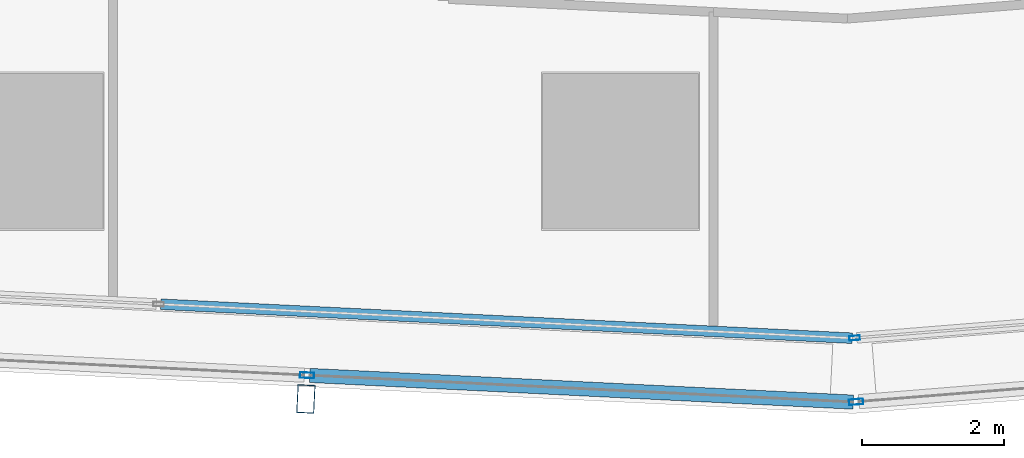
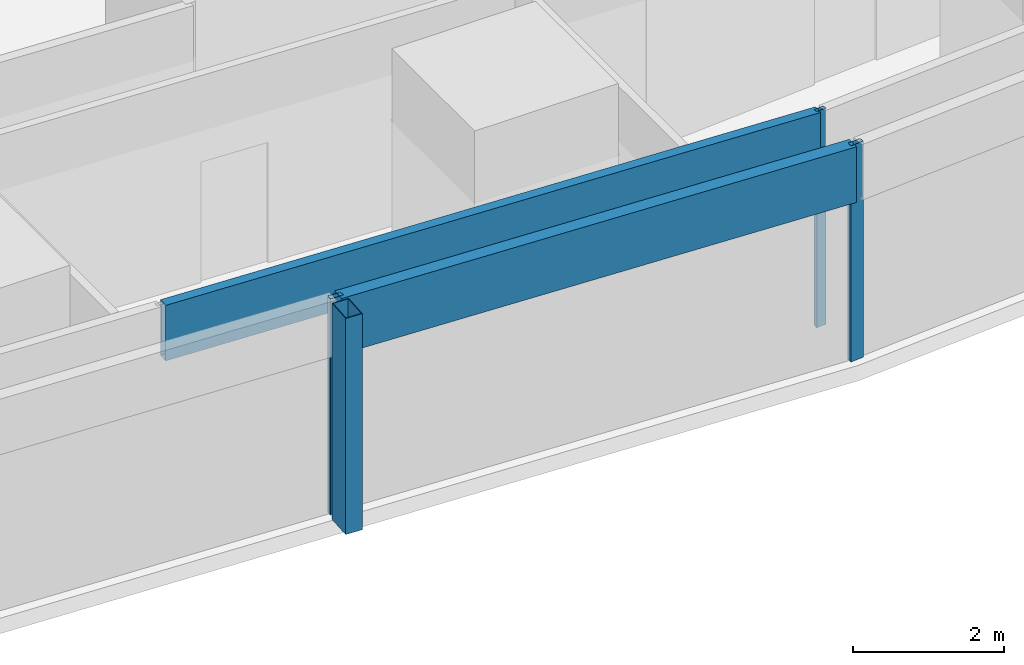
# One storey, part 9 of 45: 6 members, 4 elements without a shape of their own.
"""IFC4 building model written with IfcOpenShell, lengths in metres."""

from ifc_helpers import new_model, si_unit, direction, frame, origin, origin_2d, place, context, subcontext, project, spatial, hollow_rectangle, extrude, material, material_profile, profile_set, type_object, element, aggregate, save


model = new_model("IFC4")

# Units and contexts
model_context = context("Model", 3, precision=1e-05, world=origin(), true_north=direction((0.0, 1.0)))
body_context = subcontext(model_context, "Body", "Model", "MODEL_VIEW")
ifc_project = project(units=[si_unit("LENGTHUNIT", "METRE"), si_unit("AREAUNIT", "SQUARE_METRE"), si_unit("VOLUMEUNIT", "CUBIC_METRE"), si_unit("PLANEANGLEUNIT", "RADIAN"), si_unit("MASSUNIT", "GRAM", prefix="KILO")], contexts=[model_context])

# Site, building, storey
site_placement = place(None, origin())
site = spatial("IfcSite", under=ifc_project, at=site_placement, CompositionType="ELEMENT")
building_placement = place(site_placement, origin())
building = spatial("IfcBuilding", under=site, at=building_placement, Name="Rekha Terrace Tower", CompositionType="ELEMENT")
storey_placement = place(building_placement, frame((0.0, 0.0, 32.89990234375)))
storey = spatial("IfcBuildingStorey", under=building, at=storey_placement, Name="L07", CompositionType="ELEMENT", Elevation=32.89990234375)

# Curtain wall, member
ifc_material_1 = material(Name="Aluminium framing", Category="aluminium")
curtain_wall_type_1 = type_object("IfcCurtainWallType", Name="CW2 double skin outer glazing", PredefinedType="USERDEFINED", material=ifc_material_1)
curtain_wall_1_placement = place(storey_placement, origin())
curtain_wall_1 = element("IfcCurtainWall", 1, at=curtain_wall_1_placement, inside=storey, type_object=curtain_wall_type_1, Name="CW2 double skin outer glazing", ObjectType="DOUBLE SKIN OUTER GLAZING", PredefinedType="USERDEFINED")
ifc_material_2 = material(Name="Steel S355 with fluorocarbon finish", Category="steel")
ifc_material_profile_1 = material_profile(ifc_material_2, hollow_rectangle(XDim=0.25, YDim=0.39990234375, WallThickness=0.012451171875, at=origin_2d()), Name="RHS400x250x12.5")
ifc_profile_set_1 = profile_set([ifc_material_profile_1], Name="Steel S355 with fluorocarbon finish")
member_type_1 = type_object("IfcMemberType", Name="BL1 facade blade RHS 400 x 250", PredefinedType="USERDEFINED", material=ifc_profile_set_1)
member_1_placement = place(storey_placement, frame((37.562744140625, 4.904296875, 0.0), z_axis=(0.0, 0.0, 1.0), x_axis=(0.998796226835, -0.049051985279, 0.0)))
member_1 = element("IfcMember", 2, at=member_1_placement, type_object=member_type_1, Name="Facade blade", ObjectType="FACADE BLADE", PredefinedType="USERDEFINED", context=body_context, shape_type="SweptSolid", body=[
    extrude(hollow_rectangle(XDim=0.25, YDim=0.39990234375, WallThickness=0.012451171875, at=origin_2d()), origin(), (0.0, 0.0, 1.0), 3.5),
])

curtain_wall_type_2 = type_object("IfcCurtainWallType", Name="CW1 double skin inner glazing", PredefinedType="USERDEFINED", material=ifc_material_1)
curtain_wall_2_placement = place(storey_placement, origin())
curtain_wall_2 = element("IfcCurtainWall", 3, at=curtain_wall_2_placement, inside=storey, type_object=curtain_wall_type_2, Name="CW1 double skin inner glazing", ObjectType="DOUBLE SKIN INNER GLAZING", PredefinedType="USERDEFINED")
ifc_material_3 = material(Name="Aluminium mullion section", Category="aluminium")
ifc_material_profile_2 = material_profile(ifc_material_3, hollow_rectangle(XDim=0.06494140625, YDim=0.14990234375, WallThickness=0.00390625, at=origin_2d()), Name="AL RHS 65x150")
ifc_profile_set_2 = profile_set([ifc_material_profile_2], Name="Aluminium mullion section")
member_type_2 = type_object("IfcMemberType", Name="CW1 mullion RHS 65 x 150", PredefinedType="MULLION", material=ifc_profile_set_2)
member_2_placement = place(storey_placement, frame((45.303955078125, 5.7646484375, 0.0), z_axis=(0.0, 0.0, 1.0), x_axis=(-0.079872204468, 0.996805111821, 0.0)))
member_2 = element("IfcMember", 4, at=member_2_placement, type_object=member_type_2, Name="CW1 mullion 1", PredefinedType="MULLION", context=body_context, shape_type="SweptSolid", body=[
    extrude(hollow_rectangle(XDim=0.06494140625, YDim=0.14990234375, WallThickness=0.00390625, at=origin_2d()), origin(), (0.0, 0.0, 1.0), 3.5),
])
aggregate(curtain_wall_2, [member_2])

curtain_wall_3_placement = place(storey_placement, origin())
curtain_wall_3 = element("IfcCurtainWall", 5, at=curtain_wall_3_placement, inside=storey, type_object=curtain_wall_type_2, Name="CW1 double skin inner glazing", ObjectType="DOUBLE SKIN INNER GLAZING", PredefinedType="USERDEFINED")
ifc_material_4 = material(Name="Insulated aluminium spandrel box", Category="aluminium")
ifc_material_profile_3 = material_profile(ifc_material_4, hollow_rectangle(XDim=0.14990234375, YDim=0.89990234375, WallThickness=0.0029296875, at=origin_2d()), Name="AL SPANDREL BOX 150x900")
ifc_profile_set_3 = profile_set([ifc_material_profile_3], Name="Insulated aluminium spandrel box")
member_type_3 = type_object("IfcMemberType", Name="CW1 spandrel transom 150 x 900", PredefinedType="USERDEFINED", material=ifc_profile_set_3)
member_3_placement = place(storey_placement, frame((35.516357421875, 6.2412109375, 3.050048828125), z_axis=(0.998795409084, -0.049068633482, 0.0), x_axis=(0.049068633482, 0.998795409084, 0.0)))
member_3 = element("IfcMember", 6, at=member_3_placement, type_object=member_type_3, Name="CW1 spandrel transom 3", ObjectType="TRANSOM", PredefinedType="USERDEFINED", context=body_context, shape_type="SweptSolid", body=[
    extrude(hollow_rectangle(XDim=0.14990234375, YDim=0.89990234375, WallThickness=0.0029296875, at=origin_2d()), origin(), (0.0, 0.0, 1.0), 9.766845703125),
])
aggregate(curtain_wall_3, [member_3])

# Member
ifc_material_profile_4 = material_profile(ifc_material_3, hollow_rectangle(XDim=0.080078125, YDim=0.199951171875, WallThickness=0.00390625, at=origin_2d()), Name="AL RHS 80x200")
ifc_profile_set_4 = profile_set([ifc_material_profile_4], Name="Aluminium mullion section")
member_type_4 = type_object("IfcMemberType", Name="CW2 mullion RHS 80 x 200", PredefinedType="MULLION", material=ifc_profile_set_4)
member_4_placement = place(storey_placement, frame((37.5791015625, 5.23876953125, 0.0), z_axis=(0.0, 0.0, 1.0), x_axis=(0.049051717746, 0.998796239974, 0.0)))
member_4 = element("IfcMember", 7, at=member_4_placement, type_object=member_type_4, Name="CW2 mullion 5", PredefinedType="MULLION", context=body_context, shape_type="SweptSolid", body=[
    extrude(hollow_rectangle(XDim=0.080078125, YDim=0.199951171875, WallThickness=0.00390625, at=origin_2d()), origin(), (0.0, 0.0, 1.0), 3.5),
])

# Curtain wall, member
curtain_wall_4_placement = place(storey_placement, origin())
curtain_wall_4 = element("IfcCurtainWall", 8, at=curtain_wall_4_placement, inside=storey, type_object=curtain_wall_type_1, Name="CW2 double skin outer glazing", ObjectType="DOUBLE SKIN OUTER GLAZING", PredefinedType="USERDEFINED")
member_5_placement = place(storey_placement, frame((45.325439453125, 4.863525390625, 0.0), z_axis=(0.0, 0.0, 1.0), x_axis=(-0.079872204468, 0.996805111821, 0.0)))
member_5 = element("IfcMember", 9, at=member_5_placement, type_object=member_type_4, Name="CW2 mullion 1", PredefinedType="MULLION", context=body_context, shape_type="SweptSolid", body=[
    extrude(hollow_rectangle(XDim=0.080078125, YDim=0.199951171875, WallThickness=0.00390625, at=origin_2d()), origin(), (0.0, 0.0, 1.0), 3.5),
])
aggregate(curtain_wall_4, [member_5])

# Member
ifc_material_profile_5 = material_profile(ifc_material_4, hollow_rectangle(XDim=0.199951171875, YDim=0.89990234375, WallThickness=0.0029296875, at=origin_2d()), Name="AL SPANDREL BOX 200x900")
ifc_profile_set_5 = profile_set([ifc_material_profile_5], Name="Insulated aluminium spandrel box")
member_type_5 = type_object("IfcMemberType", Name="CW2 spandrel transom 200 x 900", PredefinedType="USERDEFINED", material=ifc_profile_set_5)
member_6_placement = place(storey_placement, frame((37.619140625, 5.23681640625, 3.050048828125), z_axis=(0.998796518042, -0.049046055373, 0.0), x_axis=(0.049046055373, 0.998796518042, 0.0)))
member_6 = element("IfcMember", 10, at=member_6_placement, type_object=member_type_5, Name="CW2 spandrel transom 5", ObjectType="TRANSOM", PredefinedType="USERDEFINED", context=body_context, shape_type="SweptSolid", body=[
    extrude(hollow_rectangle(XDim=0.199951171875, YDim=0.89990234375, WallThickness=0.0029296875, at=origin_2d()), origin(), (0.0, 0.0, 1.0), 7.67578125),
])

aggregate(curtain_wall_1, [member_4, member_6, member_1])

save(model, "model.ifc")
